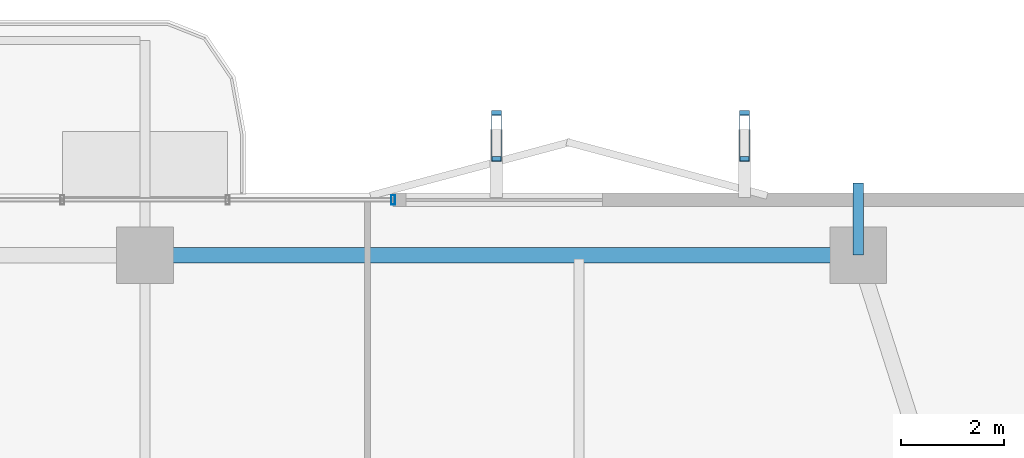
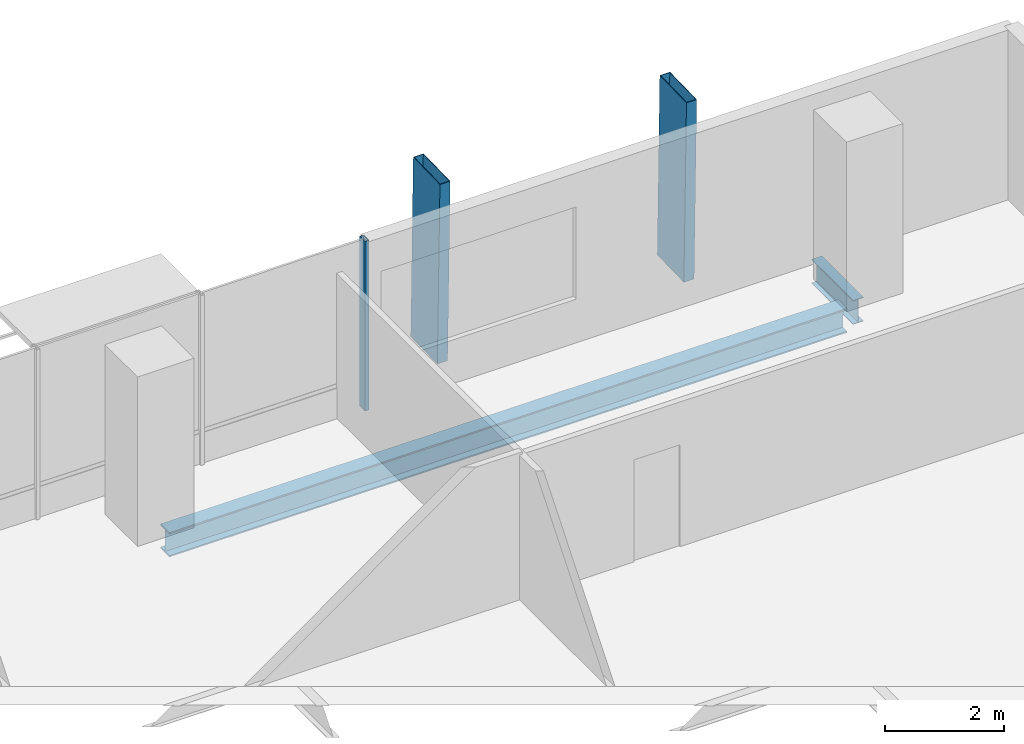
# One storey, part 16 of 25: 3 members, 2 beams, 1 element without a shape of its own.
"""IFC4 building model written with IfcOpenShell, lengths in metres."""

from ifc_helpers import new_model, si_unit, direction, frame, origin, origin_2d, place, context, subcontext, project, spatial, hollow_rectangle, i_section, extrude, material, layer, layer_set, material_profile, profile_set, type_object, element, aggregate, save


model = new_model("IFC4")

# Units and contexts
model_context = context("Model", 3, precision=1e-05, world=origin(), true_north=direction((0.0, 1.0)))
body_context = subcontext(model_context, "Body", "Model", "MODEL_VIEW")
ifc_project = project(units=[si_unit("LENGTHUNIT", "METRE"), si_unit("AREAUNIT", "SQUARE_METRE"), si_unit("VOLUMEUNIT", "CUBIC_METRE"), si_unit("PLANEANGLEUNIT", "RADIAN"), si_unit("MASSUNIT", "GRAM", prefix="KILO")], contexts=[model_context])

# Site, building, storey
site_placement = place(None, origin())
site = spatial("IfcSite", under=ifc_project, at=site_placement, CompositionType="ELEMENT")
building_placement = place(site_placement, origin())
building = spatial("IfcBuilding", under=site, at=building_placement, Name="Belovzor Exchange Tower", CompositionType="ELEMENT")
storey_placement = place(building_placement, frame((0.0, 0.0, 164.550048828125)))
storey = spatial("IfcBuildingStorey", under=building, at=storey_placement, Name="L40", CompositionType="ELEMENT", Elevation=164.550048828125)

# Beam
ifc_material_1 = material(Name="Steel S355", Category="steel")
ifc_material_profile_1 = material_profile(ifc_material_1, i_section(OverallWidth=0.199951171875, OverallDepth=0.5, WebThickness=0.01025390625, FlangeThickness=0.01611328125, at=origin_2d()))
ifc_profile_set_1 = profile_set([ifc_material_profile_1], Name="Steel S355")
beam_type_1 = type_object("IfcBeamType", Name="Planted Balcony Cantilever Beam IPE 500", PredefinedType="BEAM", material=ifc_profile_set_1)
beam_1_placement = place(storey_placement, frame((42.60009765625, 51.89990234375, -0.505126953125), z_axis=(0.0, 1.0, 0.0), x_axis=(-1.0, 0.0, 0.0)))
element("IfcBeam", 1, at=beam_1_placement, inside=storey, type_object=beam_type_1, Name="BC-500 Planted Balcony Cantilever Beam IPE 500", PredefinedType="BEAM", context=body_context, shape_type="SweptSolid", body=[
    extrude(i_section(OverallWidth=0.199951171875, OverallDepth=0.5, WebThickness=0.01025390625, FlangeThickness=0.01611328125, at=origin_2d()), origin(), (0.0, 0.0, 1.0), 1.400146484375),
])

# Members
ifc_material_2 = material(Name="Extruded Architectural Terracotta on Steel S355 Carrier", Category="masonry")
ifc_material_profile_2 = material_profile(ifc_material_2, hollow_rectangle(XDim=0.199951171875, YDim=0.89990234375, WallThickness=0.011962890625, at=origin_2d()))
ifc_profile_set_2 = profile_set([ifc_material_profile_2], Name="Extruded Architectural Terracotta on Steel S355 Carrier")
member_type_1 = type_object("IfcMemberType", Name="Sweeping Terracotta Baguette Fin Assembly 1250", PredefinedType="USERDEFINED", material=ifc_profile_set_2)
for number, where, z_axis, x_axis, name in (
    (2, (35.60009765625, 54.2470703125, -0.255126953125), (0.0, -0.023235912336, 0.999730009742), (1.0, 0.0, 0.0), "FIN-TC125 Terracotta Facade Fin L40 N3"),
    (3, (40.39990234375, 54.2470703125, -0.255126953125), (0.0, -0.023235912336, 0.999730009742), (1.0, 0.0, 0.0), "FIN-TC125 Terracotta Facade Fin L40 N4"),
):
    element("IfcMember", number, at=place(storey_placement, frame(where, z_axis=z_axis, x_axis=x_axis)), inside=storey, type_object=member_type_1, Name=name, ObjectType="FIN", PredefinedType="USERDEFINED", context=body_context, shape_type="SweptSolid", body=[
        extrude(hollow_rectangle(XDim=0.199951171875, YDim=0.89990234375, WallThickness=0.011962890625, at=origin_2d()), origin(), (0.0, 0.0, 1.0), 3.7509765625),
    ])

# Curtain wall, member
ifc_material_3 = material(Name="Anodised Aluminium Framing", Category="aluminium")
ifc_layer = layer(ifc_material_3, 0.179931640625)
ifc_layer_set = layer_set([ifc_layer], Name="Anodised Aluminium Framing")
curtain_wall_type = type_object("IfcCurtainWallType", Name="Recessed Loggia Low-Iron Triple-Glazed Curtain Wall", PredefinedType="NOTDEFINED", material=ifc_layer_set)
curtain_wall_placement = place(storey_placement, origin())
curtain_wall = element("IfcCurtainWall", 4, at=curtain_wall_placement, inside=storey, type_object=curtain_wall_type, Name="CW3 Recessed Loggia Low-Iron Triple-Glazed Curtain Wall L40", PredefinedType="NOTDEFINED")
ifc_material_4 = material(Name="Steel S355", Category="steel")
ifc_material_profile_3 = material_profile(ifc_material_4, hollow_rectangle(XDim=0.074951171875, YDim=0.179931640625, WallThickness=0.0048828125, at=origin_2d()))
ifc_profile_set_3 = profile_set([ifc_material_profile_3], Name="Steel S355")
member_type_2 = type_object("IfcMemberType", Name="Thermally Broken Curtain Wall Mullion 180x75", PredefinedType="MULLION", material=ifc_profile_set_3)
member_placement = place(storey_placement, frame((33.60009765625, 52.969970703125, 0.0), z_axis=(0.0, 0.0, 1.0), x_axis=(1.0, 0.0, 0.0)))
member = element("IfcMember", 5, at=member_placement, type_object=member_type_2, Name="CW-M180 Curtain Wall Mullion 4", PredefinedType="MULLION", context=body_context, shape_type="SweptSolid", body=[
    extrude(hollow_rectangle(XDim=0.074951171875, YDim=0.179931640625, WallThickness=0.0048828125, at=origin_2d()), origin(), (0.0, 0.0, 1.0), 3.494873046875),
])
aggregate(curtain_wall, [member])

# Beam
ifc_material_5 = material(Name="Steel S355", Category="steel")
ifc_material_profile_4 = material_profile(ifc_material_5, i_section(OverallWidth=0.300048828125, OverallDepth=0.5, WebThickness=0.014404296875, FlangeThickness=0.028076171875, at=origin_2d()))
ifc_profile_set_4 = profile_set([ifc_material_profile_4], Name="Steel S355")
beam_type_2 = type_object("IfcBeamType", Name="Zone 3 Waist Primary Girder HEB 500", PredefinedType="BEAM", material=ifc_profile_set_4)
beam_2_placement = place(storey_placement, frame((42.297119140625, 51.89990234375, -0.505126953125), z_axis=(-1.0, 0.0, 0.0), x_axis=(0.0, -1.0, 0.0)))
element("IfcBeam", 6, at=beam_2_placement, inside=storey, type_object=beam_type_2, Name="FG-Z3 Zone 3 Waist Primary Girder HEB 500", PredefinedType="BEAM", context=body_context, shape_type="SweptSolid", body=[
    extrude(i_section(OverallWidth=0.300048828125, OverallDepth=0.5, WebThickness=0.014404296875, FlangeThickness=0.028076171875, at=origin_2d()), origin(), (0.0, 0.0, 1.0), 13.195068359375),
])

save(model, "model.ifc")
